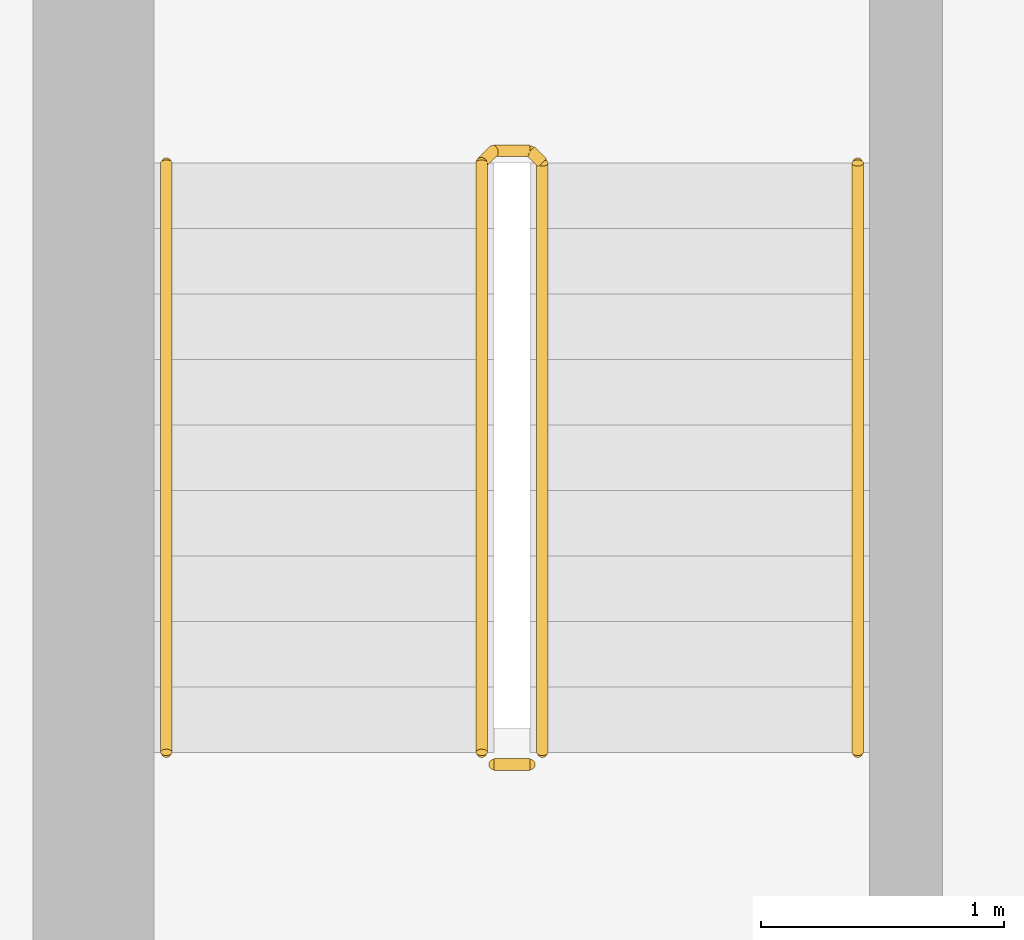
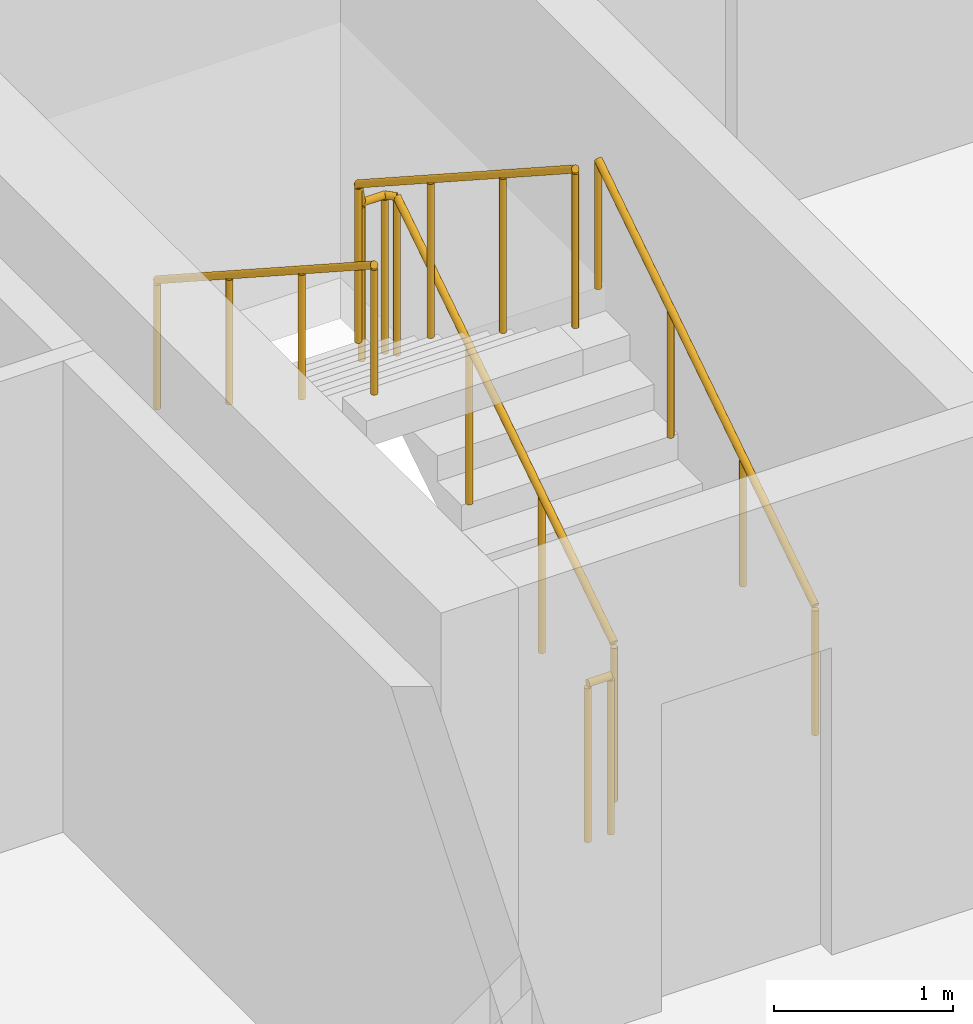
# One storey, part 13 of 18: 4 railings.
"""IFC4 building model written with IfcOpenShell, lengths in metres."""

from ifc_helpers import new_model, si_unit, direction, frame, origin, origin_2d, place, context, subcontext, project, spatial, circle, extrude, material, type_object, element, save


model = new_model("IFC4")

# Units and contexts
model_context = context("Model", 3, precision=1e-05, world=origin(), true_north=direction((0.0, 1.0)))
body_context = subcontext(model_context, "Body", "Model", "MODEL_VIEW")
ifc_project = project(units=[si_unit("LENGTHUNIT", "METRE"), si_unit("AREAUNIT", "SQUARE_METRE"), si_unit("VOLUMEUNIT", "CUBIC_METRE"), si_unit("PLANEANGLEUNIT", "RADIAN"), si_unit("MASSUNIT", "GRAM", prefix="KILO")], contexts=[model_context])

# Site, building, storey
site_placement = place(None, origin())
site = spatial("IfcSite", under=ifc_project, at=site_placement, CompositionType="ELEMENT")
building_placement = place(site_placement, origin())
building = spatial("IfcBuilding", under=site, at=building_placement, Name="Saffron Iwan Residences", CompositionType="ELEMENT")
storey_placement = place(building_placement, frame((0.0, 0.0, 260.5)))
storey = spatial("IfcBuildingStorey", under=building, at=storey_placement, Name="L70", CompositionType="ELEMENT", Elevation=260.5)

# Railings
ifc_material_1 = material(Name="Steel S355", Category="steel")
railing_type_1 = type_object("IfcRailingType", Name="Stair guard 1100", PredefinedType="GUARDRAIL", material=ifc_material_1)
railing_1_placement = place(storey_placement, frame((31.300048828125, 67.85009765625, 0.175048828125)))
element("IfcRailing", 1, at=railing_1_placement, inside=storey, type_object=railing_type_1, Name="L70 ST-W stair guard 1", PredefinedType="GUARDRAIL", context=body_context, shape_type="SweptSolid", body=[
    extrude(circle(Radius=0.02392578125, at=origin_2d()), frame((0.0, 0.0, 1.076171875), z_axis=(0.0, 0.839153699163, 0.543894354798), x_axis=(-1.0, 0.0, 0.0)), (0.0, 0.0, 1.0), 2.895751953125),
    extrude(circle(Radius=0.02392578125, at=origin_2d()), frame((0.0, 2.429931640625, 2.65087890625), z_axis=(-0.707106781187, 0.707106781187, 0.0), x_axis=(-0.707106781187, -0.707106781187, 0.0)), (0.0, 0.0, 1.0), 0.07080078125),
    extrude(circle(Radius=0.02392578125, at=origin_2d()), frame((-0.050048828125, 2.47998046875, 2.65087890625), z_axis=(-1.0, 0.0, 0.0), x_axis=(0.0, -1.0, 0.0)), (0.0, 0.0, 1.0), 0.14990234375),
    extrude(circle(Radius=0.02392578125, at=origin_2d()), frame((-0.199951171875, 2.47998046875, 2.65087890625), z_axis=(-0.265065253269, -0.265065253269, 0.927081885822), x_axis=(0.707106781187, -0.707106781187, 0.0)), (0.0, 0.0, 1.0), 0.188720703125),
    extrude(circle(Radius=0.02392578125, at=origin_2d()), frame((-0.25, 2.429931640625, 2.826171875), z_axis=(0.0, -0.839153699163, 0.543894354798), x_axis=(1.0, 0.0, 0.0)), (0.0, 0.0, 1.0), 2.895751953125),
    extrude(circle(Radius=0.02099609375, at=origin_2d()), origin(), (0.0, 0.0, 1.0), 1.052001953125),
    extrude(circle(Radius=0.02099609375, at=origin_2d()), frame((0.0, 0.81005859375, 0.52490234375)), (0.0, 0.0, 1.0), 1.052001953125),
    extrude(circle(Radius=0.02099609375, at=origin_2d()), frame((0.0, 1.619873046875, 1.050048828125)), (0.0, 0.0, 1.0), 1.052001953125),
    extrude(circle(Radius=0.02099609375, at=origin_2d()), frame((0.0, 2.429931640625, 1.574951171875)), (0.0, 0.0, 1.0), 1.052001953125),
    extrude(circle(Radius=0.02099609375, at=origin_2d()), frame((-0.050048828125, 2.47998046875, 1.574951171875)), (0.0, 0.0, 1.0), 1.052001953125),
    extrude(circle(Radius=0.02099609375, at=origin_2d()), frame((-0.199951171875, 2.47998046875, 1.574951171875)), (0.0, 0.0, 1.0), 1.052001953125),
    extrude(circle(Radius=0.02099609375, at=origin_2d()), frame((-0.25, 2.429931640625, 1.75)), (0.0, 0.0, 1.0), 1.052001953125),
    extrude(circle(Radius=0.02099609375, at=origin_2d()), frame((-0.25, 1.619873046875, 2.27490234375)), (0.0, 0.0, 1.0), 1.052001953125),
    extrude(circle(Radius=0.02099609375, at=origin_2d()), frame((-0.25, 0.81005859375, 2.800048828125)), (0.0, 0.0, 1.0), 1.052001953125),
    extrude(circle(Radius=0.02099609375, at=origin_2d()), frame((-0.25, 0.0, 3.324951171875)), (0.0, 0.0, 1.0), 1.052001953125),
])
railing_2_placement = place(storey_placement, frame((31.25, 67.800048828125, 0.0)))
element("IfcRailing", 2, at=railing_2_placement, inside=storey, type_object=railing_type_1, Name="L70 ST-W stair guard 2", PredefinedType="GUARDRAIL", context=body_context, shape_type="SweptSolid", body=[
    extrude(circle(Radius=0.02392578125, at=origin_2d()), frame((0.0, 0.0, 1.076171875), z_axis=(-1.0, 0.0, 0.0), x_axis=(0.0, -1.0, 0.0)), (0.0, 0.0, 1.0), 0.14990234375),
    extrude(circle(Radius=0.02099609375, at=origin_2d()), origin(), (0.0, 0.0, 1.0), 1.052001953125),
    extrude(circle(Radius=0.02099609375, at=origin_2d()), frame((-0.14990234375, 0.0, 0.0)), (0.0, 0.0, 1.0), 1.052001953125),
])
ifc_material_2 = material(Name="Stainless steel 316", Category="steel")
railing_type_2 = type_object("IfcRailingType", Name="Stair handrail 900", PredefinedType="HANDRAIL", material=ifc_material_2)
railing_3_placement = place(storey_placement, frame((32.60009765625, 67.85009765625, 0.175048828125)))
element("IfcRailing", 3, at=railing_3_placement, inside=storey, type_object=railing_type_2, Name="L70 ST-W stair handrail 1", PredefinedType="HANDRAIL", context=body_context, shape_type="SweptSolid", body=[
    extrude(circle(Radius=0.02392578125, at=origin_2d()), frame((0.0, 0.0, 0.8759765625), z_axis=(0.0, 0.839153699163, 0.543894354798), x_axis=(-1.0, 0.0, 0.0)), (0.0, 0.0, 1.0), 2.895751953125),
    extrude(circle(Radius=0.02099609375, at=origin_2d()), origin(), (0.0, 0.0, 1.0), 0.851806640625),
    extrude(circle(Radius=0.02099609375, at=origin_2d()), frame((0.0, 0.81005859375, 0.52490234375)), (0.0, 0.0, 1.0), 0.851806640625),
    extrude(circle(Radius=0.02099609375, at=origin_2d()), frame((0.0, 1.619873046875, 1.050048828125)), (0.0, 0.0, 1.0), 0.851806640625),
    extrude(circle(Radius=0.02099609375, at=origin_2d()), frame((0.0, 2.429931640625, 1.574951171875)), (0.0, 0.0, 1.0), 0.851806640625),
])
railing_4_placement = place(storey_placement, frame((29.75, 70.280029296875, 1.925048828125)))
element("IfcRailing", 4, at=railing_4_placement, inside=storey, type_object=railing_type_2, Name="L70 ST-W stair handrail 2", PredefinedType="HANDRAIL", context=body_context, shape_type="SweptSolid", body=[
    extrude(circle(Radius=0.02392578125, at=origin_2d()), frame((0.0, 0.0, 0.8759765625), z_axis=(0.0, -0.839153699163, 0.543894354798), x_axis=(1.0, 0.0, 0.0)), (0.0, 0.0, 1.0), 2.895751953125),
    extrude(circle(Radius=0.02099609375, at=origin_2d()), origin(), (0.0, 0.0, 1.0), 0.851806640625),
    extrude(circle(Radius=0.02099609375, at=origin_2d()), frame((0.0, -0.81005859375, 0.52490234375)), (0.0, 0.0, 1.0), 0.851806640625),
    extrude(circle(Radius=0.02099609375, at=origin_2d()), frame((0.0, -1.619873046875, 1.050048828125)), (0.0, 0.0, 1.0), 0.851806640625),
    extrude(circle(Radius=0.02099609375, at=origin_2d()), frame((0.0, -2.429931640625, 1.574951171875)), (0.0, 0.0, 1.0), 0.851806640625),
])

save(model, "model.ifc")
